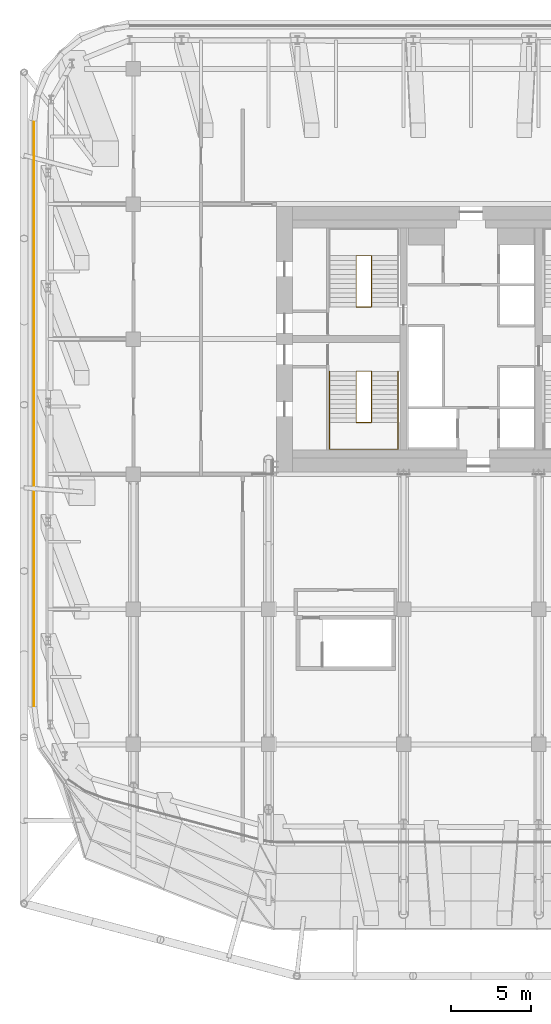
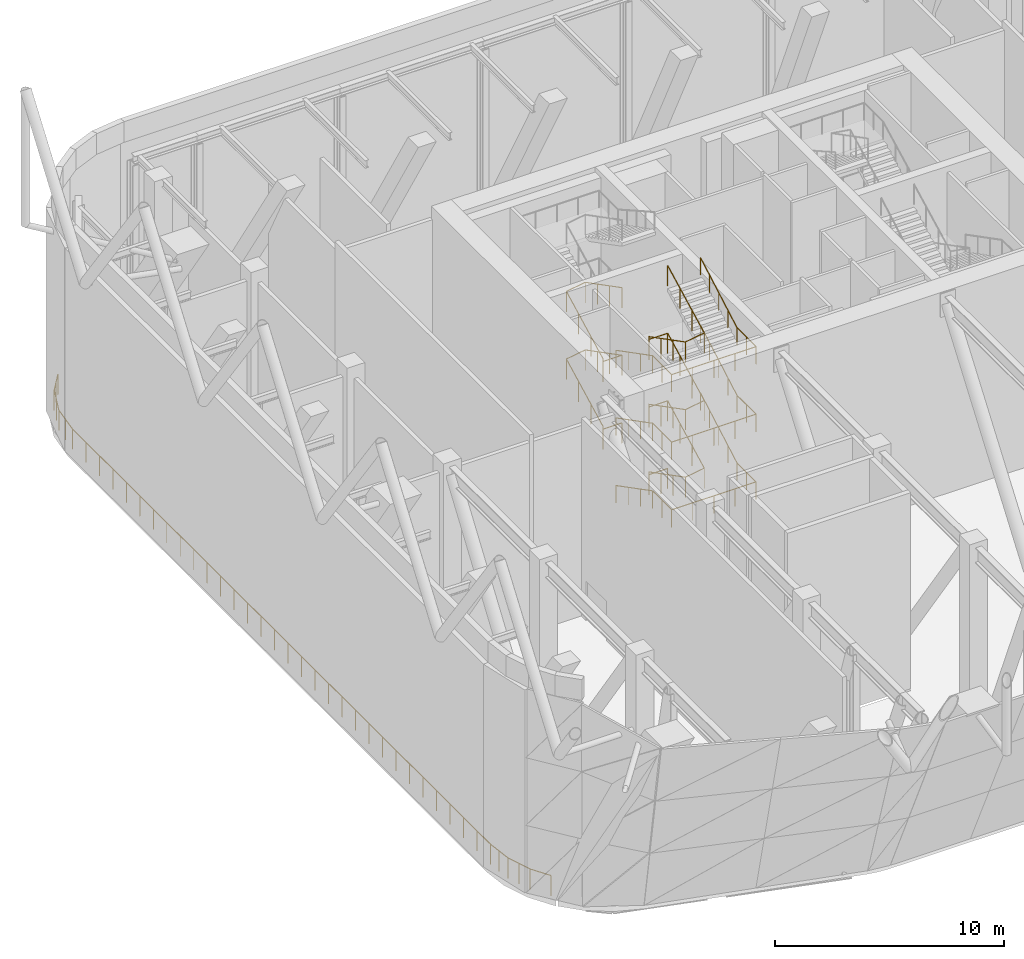
# One storey, part 17 of 20: 9 railings.
"""IFC4 building model written with IfcOpenShell, lengths in metres."""

from ifc_helpers import new_model, si_unit, direction, frame, origin, origin_2d, place, context, subcontext, project, spatial, circle, extrude, material, type_object, element, save


model = new_model("IFC4")

# Units and contexts
model_context = context("Model", 3, precision=1e-05, world=origin(), true_north=direction((0.0, 1.0)))
body_context = subcontext(model_context, "Body", "Model", "MODEL_VIEW")
ifc_project = project(units=[si_unit("LENGTHUNIT", "METRE"), si_unit("AREAUNIT", "SQUARE_METRE"), si_unit("VOLUMEUNIT", "CUBIC_METRE"), si_unit("PLANEANGLEUNIT", "RADIAN"), si_unit("MASSUNIT", "GRAM", prefix="KILO")], contexts=[model_context])

# Site, building, storey
site_placement = place(None, origin())
site = spatial("IfcSite", under=ifc_project, at=site_placement, CompositionType="ELEMENT")
building_placement = place(site_placement, origin())
building = spatial("IfcBuilding", under=site, at=building_placement, Name="Marenta Gate Hotel Tower", CompositionType="ELEMENT")
storey_placement = place(building_placement, frame((0.0, 0.0, 169.699951171875)))
storey = spatial("IfcBuildingStorey", under=building, at=storey_placement, Name="L40", CompositionType="ELEMENT", Elevation=169.699951171875)

# Railings
ifc_material_1 = material(Name="Stainless steel", Category="steel")
railing_type_1 = type_object("IfcRailingType", Name="Core stair handrail 950", PredefinedType="HANDRAIL", material=ifc_material_1)
railing_1_placement = place(storey_placement, frame((-8.800048828125, 6.39990234375, 0.150146484375)))
element("IfcRailing", 1, at=railing_1_placement, inside=storey, type_object=railing_type_1, Name="HR-950 L40-KR-ST1-1", PredefinedType="HANDRAIL", context=body_context, shape_type="SweptSolid", body=[
    extrude(circle(Radius=0.02392578125, at=origin_2d()), frame((0.0, 0.0, 0.92578125), z_axis=(0.0, -0.888225295554, 0.459408123936), x_axis=(1.0, 0.0, 0.0)), (0.0, 0.0, 1.0), 3.59130859375),
    extrude(circle(Radius=0.02392578125, at=origin_2d()), frame((0.0, -3.18994140625, 2.57568359375), z_axis=(0.0, -1.0, 0.0), x_axis=(1.0, 0.0, 0.0)), (0.0, 0.0, 1.0), 1.659912109375),
    extrude(circle(Radius=0.02392578125, at=origin_2d()), frame((0.0, -4.849853515625, 2.57568359375), z_axis=(1.0, 0.0, 0.0), x_axis=(0.0, 1.0, 0.0)), (0.0, 0.0, 1.0), 4.25),
    extrude(circle(Radius=0.02392578125, at=origin_2d()), frame((4.25, -4.849853515625, 2.57568359375), z_axis=(0.0, 1.0, 0.0), x_axis=(-1.0, 0.0, 0.0)), (0.0, 0.0, 1.0), 1.659912109375),
    extrude(circle(Radius=0.02392578125, at=origin_2d()), frame((4.25, -3.18994140625, 2.57568359375), z_axis=(0.0, 0.87090897868, 0.491444351738), x_axis=(-1.0, 0.0, 0.0)), (0.0, 0.0, 1.0), 3.662841796875),
    extrude(circle(Radius=0.02099609375, at=origin_2d()), origin(), (0.0, 0.0, 1.0), 0.90185546875),
    extrude(circle(Radius=0.02099609375, at=origin_2d()), frame((0.0, -1.063232421875, 0.550048828125)), (0.0, 0.0, 1.0), 0.90185546875),
    extrude(circle(Radius=0.02099609375, at=origin_2d()), frame((0.0, -2.126708984375, 1.099853515625)), (0.0, 0.0, 1.0), 0.90185546875),
    extrude(circle(Radius=0.02099609375, at=origin_2d()), frame((0.0, -3.18994140625, 1.64990234375)), (0.0, 0.0, 1.0), 0.90185546875),
    extrude(circle(Radius=0.02099609375, at=origin_2d()), frame((0.0, -4.02001953125, 1.64990234375)), (0.0, 0.0, 1.0), 0.90185546875),
    extrude(circle(Radius=0.02099609375, at=origin_2d()), frame((0.0, -4.849853515625, 1.64990234375)), (0.0, 0.0, 1.0), 0.90185546875),
    extrude(circle(Radius=0.02099609375, at=origin_2d()), frame((1.0625, -4.849853515625, 1.64990234375)), (0.0, 0.0, 1.0), 0.90185546875),
    extrude(circle(Radius=0.02099609375, at=origin_2d()), frame((2.125, -4.849853515625, 1.64990234375)), (0.0, 0.0, 1.0), 0.90185546875),
    extrude(circle(Radius=0.02099609375, at=origin_2d()), frame((3.1875, -4.849853515625, 1.64990234375)), (0.0, 0.0, 1.0), 0.90185546875),
    extrude(circle(Radius=0.02099609375, at=origin_2d()), frame((4.25, -4.849853515625, 1.64990234375)), (0.0, 0.0, 1.0), 0.90185546875),
    extrude(circle(Radius=0.02099609375, at=origin_2d()), frame((4.25, -4.02001953125, 1.64990234375)), (0.0, 0.0, 1.0), 0.90185546875),
    extrude(circle(Radius=0.02099609375, at=origin_2d()), frame((4.25, -3.18994140625, 1.64990234375)), (0.0, 0.0, 1.0), 0.90185546875),
    extrude(circle(Radius=0.02099609375, at=origin_2d()), frame((4.25, -2.392578125, 2.099853515625)), (0.0, 0.0, 1.0), 0.90185546875),
    extrude(circle(Radius=0.02099609375, at=origin_2d()), frame((4.25, -1.594970703125, 2.5498046875)), (0.0, 0.0, 1.0), 0.90185546875),
    extrude(circle(Radius=0.02099609375, at=origin_2d()), frame((4.25, -0.79736328125, 3.0)), (0.0, 0.0, 1.0), 0.90185546875),
    extrude(circle(Radius=0.02099609375, at=origin_2d()), frame((4.25, 0.0, 3.449951171875)), (0.0, 0.0, 1.0), 0.90185546875),
])
railing_2_placement = place(storey_placement, frame((-8.800048828125, 6.39990234375, 3.75)))
element("IfcRailing", 2, at=railing_2_placement, inside=storey, type_object=railing_type_1, Name="HR-950 L40-KR-ST1-3", PredefinedType="HANDRAIL", context=body_context, shape_type="SweptSolid", body=[
    extrude(circle(Radius=0.02392578125, at=origin_2d()), frame((0.0, 0.0, 0.92578125), z_axis=(0.0, -0.888197555067, 0.459461753765), x_axis=(1.0, 0.0, 0.0)), (0.0, 0.0, 1.0), 3.591552734375),
    extrude(circle(Radius=0.02392578125, at=origin_2d()), frame((0.0, -3.18994140625, 2.576171875), z_axis=(0.0, -1.0, 0.0), x_axis=(1.0, 0.0, 0.0)), (0.0, 0.0, 1.0), 1.659912109375),
    extrude(circle(Radius=0.02392578125, at=origin_2d()), frame((0.0, -4.849853515625, 2.576171875), z_axis=(1.0, 0.0, 0.0), x_axis=(0.0, 1.0, 0.0)), (0.0, 0.0, 1.0), 4.25),
    extrude(circle(Radius=0.02392578125, at=origin_2d()), frame((4.25, -4.849853515625, 2.576171875), z_axis=(0.0, 1.0, 0.0), x_axis=(-1.0, 0.0, 0.0)), (0.0, 0.0, 1.0), 1.659912109375),
    extrude(circle(Radius=0.02392578125, at=origin_2d()), frame((4.25, -3.18994140625, 2.576171875), z_axis=(0.0, 0.870937506535, 0.491393792911), x_axis=(-1.0, 0.0, 0.0)), (0.0, 0.0, 1.0), 3.66259765625),
    extrude(circle(Radius=0.02099609375, at=origin_2d()), origin(), (0.0, 0.0, 1.0), 0.90185546875),
    extrude(circle(Radius=0.02099609375, at=origin_2d()), frame((0.0, -1.063232421875, 0.550048828125)), (0.0, 0.0, 1.0), 0.90185546875),
    extrude(circle(Radius=0.02099609375, at=origin_2d()), frame((0.0, -2.126708984375, 1.10009765625)), (0.0, 0.0, 1.0), 0.90185546875),
    extrude(circle(Radius=0.02099609375, at=origin_2d()), frame((0.0, -3.18994140625, 1.650146484375)), (0.0, 0.0, 1.0), 0.90185546875),
    extrude(circle(Radius=0.02099609375, at=origin_2d()), frame((0.0, -4.02001953125, 1.650146484375)), (0.0, 0.0, 1.0), 0.90185546875),
    extrude(circle(Radius=0.02099609375, at=origin_2d()), frame((0.0, -4.849853515625, 1.650146484375)), (0.0, 0.0, 1.0), 0.90185546875),
    extrude(circle(Radius=0.02099609375, at=origin_2d()), frame((1.0625, -4.849853515625, 1.650146484375)), (0.0, 0.0, 1.0), 0.90185546875),
    extrude(circle(Radius=0.02099609375, at=origin_2d()), frame((2.125, -4.849853515625, 1.650146484375)), (0.0, 0.0, 1.0), 0.90185546875),
    extrude(circle(Radius=0.02099609375, at=origin_2d()), frame((3.1875, -4.849853515625, 1.650146484375)), (0.0, 0.0, 1.0), 0.90185546875),
    extrude(circle(Radius=0.02099609375, at=origin_2d()), frame((4.25, -4.849853515625, 1.650146484375)), (0.0, 0.0, 1.0), 0.90185546875),
    extrude(circle(Radius=0.02099609375, at=origin_2d()), frame((4.25, -4.02001953125, 1.650146484375)), (0.0, 0.0, 1.0), 0.90185546875),
    extrude(circle(Radius=0.02099609375, at=origin_2d()), frame((4.25, -3.18994140625, 1.650146484375)), (0.0, 0.0, 1.0), 0.90185546875),
    extrude(circle(Radius=0.02099609375, at=origin_2d()), frame((4.25, -2.392578125, 2.10009765625)), (0.0, 0.0, 1.0), 0.90185546875),
    extrude(circle(Radius=0.02099609375, at=origin_2d()), frame((4.25, -1.594970703125, 2.550048828125)), (0.0, 0.0, 1.0), 0.90185546875),
    extrude(circle(Radius=0.02099609375, at=origin_2d()), frame((4.25, -0.79736328125, 3.0)), (0.0, 0.0, 1.0), 0.90185546875),
    extrude(circle(Radius=0.02099609375, at=origin_2d()), frame((4.25, 0.0, 3.449951171875)), (0.0, 0.0, 1.0), 0.90185546875),
])
railing_3_placement = place(storey_placement, frame((-8.800048828125, 6.39990234375, 7.35009765625)))
element("IfcRailing", 3, at=railing_3_placement, inside=storey, type_object=railing_type_1, Name="HR-950 L40-KR-ST1-5", PredefinedType="HANDRAIL", context=body_context, shape_type="SweptSolid", body=[
    extrude(circle(Radius=0.02392578125, at=origin_2d()), frame((0.0, 0.0, 0.92578125), z_axis=(0.0, -0.888225295554, 0.459408123936), x_axis=(1.0, 0.0, 0.0)), (0.0, 0.0, 1.0), 3.59130859375),
    extrude(circle(Radius=0.02392578125, at=origin_2d()), frame((0.0, -3.18994140625, 2.57568359375), z_axis=(0.0, -1.0, 0.0), x_axis=(1.0, 0.0, 0.0)), (0.0, 0.0, 1.0), 1.659912109375),
    extrude(circle(Radius=0.02392578125, at=origin_2d()), frame((0.0, -4.849853515625, 2.57568359375), z_axis=(1.0, 0.0, 0.0), x_axis=(0.0, 1.0, 0.0)), (0.0, 0.0, 1.0), 4.25),
    extrude(circle(Radius=0.02392578125, at=origin_2d()), frame((4.25, -4.849853515625, 2.57568359375), z_axis=(0.0, 1.0, 0.0), x_axis=(-1.0, 0.0, 0.0)), (0.0, 0.0, 1.0), 1.659912109375),
    extrude(circle(Radius=0.02392578125, at=origin_2d()), frame((4.25, -3.18994140625, 2.57568359375), z_axis=(0.0, 0.87090897868, 0.491444351738), x_axis=(-1.0, 0.0, 0.0)), (0.0, 0.0, 1.0), 3.662841796875),
    extrude(circle(Radius=0.02099609375, at=origin_2d()), origin(), (0.0, 0.0, 1.0), 0.90185546875),
    extrude(circle(Radius=0.02099609375, at=origin_2d()), frame((0.0, -1.063232421875, 0.550048828125)), (0.0, 0.0, 1.0), 0.90185546875),
    extrude(circle(Radius=0.02099609375, at=origin_2d()), frame((0.0, -2.126708984375, 1.099853515625)), (0.0, 0.0, 1.0), 0.90185546875),
    extrude(circle(Radius=0.02099609375, at=origin_2d()), frame((0.0, -3.18994140625, 1.64990234375)), (0.0, 0.0, 1.0), 0.90185546875),
    extrude(circle(Radius=0.02099609375, at=origin_2d()), frame((0.0, -4.02001953125, 1.64990234375)), (0.0, 0.0, 1.0), 0.90185546875),
    extrude(circle(Radius=0.02099609375, at=origin_2d()), frame((0.0, -4.849853515625, 1.64990234375)), (0.0, 0.0, 1.0), 0.90185546875),
    extrude(circle(Radius=0.02099609375, at=origin_2d()), frame((1.0625, -4.849853515625, 1.64990234375)), (0.0, 0.0, 1.0), 0.90185546875),
    extrude(circle(Radius=0.02099609375, at=origin_2d()), frame((2.125, -4.849853515625, 1.64990234375)), (0.0, 0.0, 1.0), 0.90185546875),
    extrude(circle(Radius=0.02099609375, at=origin_2d()), frame((3.1875, -4.849853515625, 1.64990234375)), (0.0, 0.0, 1.0), 0.90185546875),
    extrude(circle(Radius=0.02099609375, at=origin_2d()), frame((4.25, -4.849853515625, 1.64990234375)), (0.0, 0.0, 1.0), 0.90185546875),
    extrude(circle(Radius=0.02099609375, at=origin_2d()), frame((4.25, -4.02001953125, 1.64990234375)), (0.0, 0.0, 1.0), 0.90185546875),
    extrude(circle(Radius=0.02099609375, at=origin_2d()), frame((4.25, -3.18994140625, 1.64990234375)), (0.0, 0.0, 1.0), 0.90185546875),
    extrude(circle(Radius=0.02099609375, at=origin_2d()), frame((4.25, -2.392578125, 2.099853515625)), (0.0, 0.0, 1.0), 0.90185546875),
    extrude(circle(Radius=0.02099609375, at=origin_2d()), frame((4.25, -1.594970703125, 2.5498046875)), (0.0, 0.0, 1.0), 0.90185546875),
    extrude(circle(Radius=0.02099609375, at=origin_2d()), frame((4.25, -0.79736328125, 3.0)), (0.0, 0.0, 1.0), 0.90185546875),
    extrude(circle(Radius=0.02099609375, at=origin_2d()), frame((4.25, 0.0, 3.449951171875)), (0.0, 0.0, 1.0), 0.90185546875),
])
ifc_material_2 = material(Name="Stainless steel", Category="steel")
railing_type_2 = type_object("IfcRailingType", Name="Core stair well guard 1100", PredefinedType="GUARDRAIL", material=ifc_material_2)
railing_4_placement = place(storey_placement, frame((-6.199951171875, 6.39990234375, 0.0)))
element("IfcRailing", 4, at=railing_4_placement, inside=storey, type_object=railing_type_2, Name="GR-1100 L40-KR-ST1-2", PredefinedType="GUARDRAIL", context=body_context, shape_type="SweptSolid", body=[
    extrude(circle(Radius=0.02392578125, at=origin_2d()), frame((0.0, 0.0, 1.076171875), z_axis=(-1.0, 0.0, 0.0), x_axis=(0.0, -1.0, 0.0)), (0.0, 0.0, 1.0), 0.949951171875),
    extrude(circle(Radius=0.02392578125, at=origin_2d()), frame((-0.949951171875, 0.0, 1.076171875), z_axis=(0.0, 0.0, 1.0), x_axis=(1.0, 0.0, 0.0)), (0.0, 0.0, 1.0), 0.150146484375),
    extrude(circle(Radius=0.02392578125, at=origin_2d()), frame((-0.949951171875, 0.0, 1.22607421875), z_axis=(0.0, -0.888225295554, 0.459408123936), x_axis=(1.0, 0.0, 0.0)), (0.0, 0.0, 1.0), 3.59130859375),
    extrude(circle(Radius=0.02392578125, at=origin_2d()), frame((-0.949951171875, -3.18994140625, 2.8759765625), z_axis=(0.987777369502, 0.0, 0.15587131968), x_axis=(0.0, 1.0, 0.0)), (0.0, 0.0, 1.0), 0.961669921875),
    extrude(circle(Radius=0.02392578125, at=origin_2d()), frame((0.0, -3.18994140625, 3.02587890625), z_axis=(0.0, 0.888197555067, 0.459461753765), x_axis=(-1.0, 0.0, 0.0)), (0.0, 0.0, 1.0), 3.591552734375),
    extrude(circle(Radius=0.02099609375, at=origin_2d()), origin(), (0.0, 0.0, 1.0), 1.052001953125),
    extrude(circle(Radius=0.02099609375, at=origin_2d()), frame((-0.949951171875, 0.0, 0.0)), (0.0, 0.0, 1.0), 1.052001953125),
    extrude(circle(Radius=0.02099609375, at=origin_2d()), frame((-0.949951171875, 0.0, 0.150146484375)), (0.0, 0.0, 1.0), 1.052001953125),
    extrude(circle(Radius=0.02099609375, at=origin_2d()), frame((-0.949951171875, -1.063232421875, 0.7001953125)), (0.0, 0.0, 1.0), 1.052001953125),
    extrude(circle(Radius=0.02099609375, at=origin_2d()), frame((-0.949951171875, -2.126708984375, 1.25)), (0.0, 0.0, 1.0), 1.052001953125),
    extrude(circle(Radius=0.02099609375, at=origin_2d()), frame((-0.949951171875, -3.18994140625, 1.800048828125)), (0.0, 0.0, 1.0), 1.052001953125),
    extrude(circle(Radius=0.02099609375, at=origin_2d()), frame((0.0, -3.18994140625, 1.949951171875)), (0.0, 0.0, 1.0), 1.052001953125),
    extrude(circle(Radius=0.02099609375, at=origin_2d()), frame((0.0, -2.126708984375, 2.5)), (0.0, 0.0, 1.0), 1.052001953125),
    extrude(circle(Radius=0.02099609375, at=origin_2d()), frame((0.0, -1.063232421875, 3.050048828125)), (0.0, 0.0, 1.0), 1.052001953125),
    extrude(circle(Radius=0.02099609375, at=origin_2d()), frame((0.0, 0.0, 3.60009765625)), (0.0, 0.0, 1.0), 1.052001953125),
])
railing_5_placement = place(storey_placement, frame((-6.199951171875, 6.39990234375, 3.60009765625)))
element("IfcRailing", 5, at=railing_5_placement, inside=storey, type_object=railing_type_2, Name="GR-1100 L40-KR-ST1-4", PredefinedType="GUARDRAIL", context=body_context, shape_type="SweptSolid", body=[
    extrude(circle(Radius=0.02392578125, at=origin_2d()), frame((0.0, 0.0, 1.076171875), z_axis=(-1.0, 0.0, 0.0), x_axis=(0.0, -1.0, 0.0)), (0.0, 0.0, 1.0), 0.949951171875),
    extrude(circle(Radius=0.02392578125, at=origin_2d()), frame((-0.949951171875, 0.0, 1.076171875), z_axis=(0.0, 0.0, 1.0), x_axis=(1.0, 0.0, 0.0)), (0.0, 0.0, 1.0), 0.14990234375),
    extrude(circle(Radius=0.02392578125, at=origin_2d()), frame((-0.949951171875, 0.0, 1.22607421875), z_axis=(0.0, -0.888197555067, 0.459461753765), x_axis=(1.0, 0.0, 0.0)), (0.0, 0.0, 1.0), 3.591552734375),
    extrude(circle(Radius=0.02392578125, at=origin_2d()), frame((-0.949951171875, -3.18994140625, 2.8759765625), z_axis=(0.987777369502, 0.0, 0.15587131968), x_axis=(0.0, 1.0, 0.0)), (0.0, 0.0, 1.0), 0.961669921875),
    extrude(circle(Radius=0.02392578125, at=origin_2d()), frame((0.0, -3.18994140625, 3.02587890625), z_axis=(0.0, 0.888225295554, 0.459408123936), x_axis=(-1.0, 0.0, 0.0)), (0.0, 0.0, 1.0), 3.59130859375),
    extrude(circle(Radius=0.02099609375, at=origin_2d()), origin(), (0.0, 0.0, 1.0), 1.052001953125),
    extrude(circle(Radius=0.02099609375, at=origin_2d()), frame((-0.949951171875, 0.0, 0.0)), (0.0, 0.0, 1.0), 1.052001953125),
    extrude(circle(Radius=0.02099609375, at=origin_2d()), frame((-0.949951171875, 0.0, 0.14990234375)), (0.0, 0.0, 1.0), 1.052001953125),
    extrude(circle(Radius=0.02099609375, at=origin_2d()), frame((-0.949951171875, -1.063232421875, 0.699951171875)), (0.0, 0.0, 1.0), 1.052001953125),
    extrude(circle(Radius=0.02099609375, at=origin_2d()), frame((-0.949951171875, -2.126708984375, 1.25)), (0.0, 0.0, 1.0), 1.052001953125),
    extrude(circle(Radius=0.02099609375, at=origin_2d()), frame((-0.949951171875, -3.18994140625, 1.800048828125)), (0.0, 0.0, 1.0), 1.052001953125),
    extrude(circle(Radius=0.02099609375, at=origin_2d()), frame((0.0, -3.18994140625, 1.949951171875)), (0.0, 0.0, 1.0), 1.052001953125),
    extrude(circle(Radius=0.02099609375, at=origin_2d()), frame((0.0, -2.126708984375, 2.5)), (0.0, 0.0, 1.0), 1.052001953125),
    extrude(circle(Radius=0.02099609375, at=origin_2d()), frame((0.0, -1.063232421875, 3.0498046875)), (0.0, 0.0, 1.0), 1.052001953125),
    extrude(circle(Radius=0.02099609375, at=origin_2d()), frame((0.0, 0.0, 3.599853515625)), (0.0, 0.0, 1.0), 1.052001953125),
])
railing_6_placement = place(storey_placement, frame((-6.199951171875, 6.39990234375, 7.199951171875)))
element("IfcRailing", 6, at=railing_6_placement, inside=storey, type_object=railing_type_2, Name="GR-1100 L40-KR-ST1-6", PredefinedType="GUARDRAIL", context=body_context, shape_type="SweptSolid", body=[
    extrude(circle(Radius=0.02392578125, at=origin_2d()), frame((0.0, 0.0, 1.076171875), z_axis=(-1.0, 0.0, 0.0), x_axis=(0.0, -1.0, 0.0)), (0.0, 0.0, 1.0), 0.949951171875),
    extrude(circle(Radius=0.02392578125, at=origin_2d()), frame((-0.949951171875, 0.0, 1.076171875), z_axis=(0.0, 0.0, 1.0), x_axis=(1.0, 0.0, 0.0)), (0.0, 0.0, 1.0), 0.150146484375),
    extrude(circle(Radius=0.02392578125, at=origin_2d()), frame((-0.949951171875, 0.0, 1.22607421875), z_axis=(0.0, -0.888225295554, 0.459408123936), x_axis=(1.0, 0.0, 0.0)), (0.0, 0.0, 1.0), 3.59130859375),
    extrude(circle(Radius=0.02392578125, at=origin_2d()), frame((-0.949951171875, -3.18994140625, 2.8759765625), z_axis=(0.987738253826, 0.0, 0.156118999255), x_axis=(0.0, 1.0, 0.0)), (0.0, 0.0, 1.0), 0.961669921875),
    extrude(circle(Radius=0.02392578125, at=origin_2d()), frame((0.0, -3.18994140625, 3.0263671875), z_axis=(0.0, 0.888225295554, 0.459408123936), x_axis=(-1.0, 0.0, 0.0)), (0.0, 0.0, 1.0), 3.59130859375),
    extrude(circle(Radius=0.02099609375, at=origin_2d()), origin(), (0.0, 0.0, 1.0), 1.052001953125),
    extrude(circle(Radius=0.02099609375, at=origin_2d()), frame((-0.949951171875, 0.0, 0.0)), (0.0, 0.0, 1.0), 1.052001953125),
    extrude(circle(Radius=0.02099609375, at=origin_2d()), frame((-0.949951171875, 0.0, 0.150146484375)), (0.0, 0.0, 1.0), 1.052001953125),
    extrude(circle(Radius=0.02099609375, at=origin_2d()), frame((-0.949951171875, -1.063232421875, 0.7001953125)), (0.0, 0.0, 1.0), 1.052001953125),
    extrude(circle(Radius=0.02099609375, at=origin_2d()), frame((-0.949951171875, -2.126708984375, 1.25)), (0.0, 0.0, 1.0), 1.052001953125),
    extrude(circle(Radius=0.02099609375, at=origin_2d()), frame((-0.949951171875, -3.18994140625, 1.800048828125)), (0.0, 0.0, 1.0), 1.052001953125),
    extrude(circle(Radius=0.02099609375, at=origin_2d()), frame((0.0, -3.18994140625, 1.9501953125)), (0.0, 0.0, 1.0), 1.052001953125),
    extrude(circle(Radius=0.02099609375, at=origin_2d()), frame((0.0, -2.126708984375, 2.500244140625)), (0.0, 0.0, 1.0), 1.052001953125),
    extrude(circle(Radius=0.02099609375, at=origin_2d()), frame((0.0, -1.063232421875, 3.050048828125)), (0.0, 0.0, 1.0), 1.052001953125),
    extrude(circle(Radius=0.02099609375, at=origin_2d()), frame((0.0, 0.0, 3.60009765625)), (0.0, 0.0, 1.0), 1.052001953125),
])
railing_7_placement = place(storey_placement, frame((-6.199951171875, 10.39990234375, 0.0)))
element("IfcRailing", 7, at=railing_7_placement, inside=storey, type_object=railing_type_2, Name="GR-1100 L40-KR-ST2-2", PredefinedType="GUARDRAIL", context=body_context, shape_type="SweptSolid", body=[
    extrude(circle(Radius=0.02392578125, at=origin_2d()), frame((0.0, 0.0, 1.076171875), z_axis=(-1.0, 0.0, 0.0), x_axis=(0.0, -1.0, 0.0)), (0.0, 0.0, 1.0), 0.949951171875),
    extrude(circle(Radius=0.02392578125, at=origin_2d()), frame((-0.949951171875, 0.0, 1.076171875), z_axis=(0.0, 0.0, 1.0), x_axis=(1.0, 0.0, 0.0)), (0.0, 0.0, 1.0), 0.150146484375),
    extrude(circle(Radius=0.02392578125, at=origin_2d()), frame((-0.949951171875, 0.0, 1.22607421875), z_axis=(0.0, 0.888239641807, 0.459380385653), x_axis=(-1.0, 0.0, 0.0)), (0.0, 0.0, 1.0), 3.591552734375),
    extrude(circle(Radius=0.02392578125, at=origin_2d()), frame((-0.949951171875, 3.190185546875, 2.8759765625), z_axis=(0.987777369502, 0.0, 0.15587131968), x_axis=(0.0, 1.0, 0.0)), (0.0, 0.0, 1.0), 0.961669921875),
    extrude(circle(Radius=0.02392578125, at=origin_2d()), frame((0.0, 3.190185546875, 3.02587890625), z_axis=(0.0, -0.888211904222, 0.459434013977), x_axis=(1.0, 0.0, 0.0)), (0.0, 0.0, 1.0), 3.591796875),
    extrude(circle(Radius=0.02099609375, at=origin_2d()), origin(), (0.0, 0.0, 1.0), 1.052001953125),
    extrude(circle(Radius=0.02099609375, at=origin_2d()), frame((-0.949951171875, 0.0, 0.0)), (0.0, 0.0, 1.0), 1.052001953125),
    extrude(circle(Radius=0.02099609375, at=origin_2d()), frame((-0.949951171875, 0.0, 0.150146484375)), (0.0, 0.0, 1.0), 1.052001953125),
    extrude(circle(Radius=0.02099609375, at=origin_2d()), frame((-0.949951171875, 1.0634765625, 0.7001953125)), (0.0, 0.0, 1.0), 1.052001953125),
    extrude(circle(Radius=0.02099609375, at=origin_2d()), frame((-0.949951171875, 2.126708984375, 1.25)), (0.0, 0.0, 1.0), 1.052001953125),
    extrude(circle(Radius=0.02099609375, at=origin_2d()), frame((-0.949951171875, 3.190185546875, 1.800048828125)), (0.0, 0.0, 1.0), 1.052001953125),
    extrude(circle(Radius=0.02099609375, at=origin_2d()), frame((0.0, 3.190185546875, 1.949951171875)), (0.0, 0.0, 1.0), 1.052001953125),
    extrude(circle(Radius=0.02099609375, at=origin_2d()), frame((0.0, 2.126708984375, 2.5)), (0.0, 0.0, 1.0), 1.052001953125),
    extrude(circle(Radius=0.02099609375, at=origin_2d()), frame((0.0, 1.0634765625, 3.050048828125)), (0.0, 0.0, 1.0), 1.052001953125),
    extrude(circle(Radius=0.02099609375, at=origin_2d()), frame((0.0, 0.0, 3.60009765625)), (0.0, 0.0, 1.0), 1.052001953125),
])
railing_8_placement = place(storey_placement, frame((-6.199951171875, 10.39990234375, 3.60009765625)))
element("IfcRailing", 8, at=railing_8_placement, inside=storey, type_object=railing_type_2, Name="GR-1100 L40-KR-ST2-4", PredefinedType="GUARDRAIL", context=body_context, shape_type="SweptSolid", body=[
    extrude(circle(Radius=0.02392578125, at=origin_2d()), frame((0.0, 0.0, 1.076171875), z_axis=(-1.0, 0.0, 0.0), x_axis=(0.0, -1.0, 0.0)), (0.0, 0.0, 1.0), 0.949951171875),
    extrude(circle(Radius=0.02392578125, at=origin_2d()), frame((-0.949951171875, 0.0, 1.076171875), z_axis=(0.0, 0.0, 1.0), x_axis=(1.0, 0.0, 0.0)), (0.0, 0.0, 1.0), 0.14990234375),
    extrude(circle(Radius=0.02392578125, at=origin_2d()), frame((-0.949951171875, 0.0, 1.22607421875), z_axis=(0.0, 0.888211904222, 0.459434013977), x_axis=(-1.0, 0.0, 0.0)), (0.0, 0.0, 1.0), 3.591796875),
    extrude(circle(Radius=0.02392578125, at=origin_2d()), frame((-0.949951171875, 3.190185546875, 2.8759765625), z_axis=(0.987777369502, 0.0, 0.15587131968), x_axis=(0.0, 1.0, 0.0)), (0.0, 0.0, 1.0), 0.961669921875),
    extrude(circle(Radius=0.02392578125, at=origin_2d()), frame((0.0, 3.190185546875, 3.02587890625), z_axis=(0.0, -0.888239641807, 0.459380385653), x_axis=(1.0, 0.0, 0.0)), (0.0, 0.0, 1.0), 3.591552734375),
    extrude(circle(Radius=0.02099609375, at=origin_2d()), origin(), (0.0, 0.0, 1.0), 1.052001953125),
    extrude(circle(Radius=0.02099609375, at=origin_2d()), frame((-0.949951171875, 0.0, 0.0)), (0.0, 0.0, 1.0), 1.052001953125),
    extrude(circle(Radius=0.02099609375, at=origin_2d()), frame((-0.949951171875, 0.0, 0.14990234375)), (0.0, 0.0, 1.0), 1.052001953125),
    extrude(circle(Radius=0.02099609375, at=origin_2d()), frame((-0.949951171875, 1.0634765625, 0.699951171875)), (0.0, 0.0, 1.0), 1.052001953125),
    extrude(circle(Radius=0.02099609375, at=origin_2d()), frame((-0.949951171875, 2.126708984375, 1.25)), (0.0, 0.0, 1.0), 1.052001953125),
    extrude(circle(Radius=0.02099609375, at=origin_2d()), frame((-0.949951171875, 3.190185546875, 1.800048828125)), (0.0, 0.0, 1.0), 1.052001953125),
    extrude(circle(Radius=0.02099609375, at=origin_2d()), frame((0.0, 3.190185546875, 1.949951171875)), (0.0, 0.0, 1.0), 1.052001953125),
    extrude(circle(Radius=0.02099609375, at=origin_2d()), frame((0.0, 2.126708984375, 2.5)), (0.0, 0.0, 1.0), 1.052001953125),
    extrude(circle(Radius=0.02099609375, at=origin_2d()), frame((0.0, 1.0634765625, 3.0498046875)), (0.0, 0.0, 1.0), 1.052001953125),
    extrude(circle(Radius=0.02099609375, at=origin_2d()), frame((0.0, 0.0, 3.599853515625)), (0.0, 0.0, 1.0), 1.052001953125),
])
ifc_material_3 = material(Name="Stainless steel", Category="steel")
railing_type_3 = type_object("IfcRailingType", Name="Guard 1100 stainless balustrade", PredefinedType="GUARDRAIL", material=ifc_material_3)
railing_9_placement = place(storey_placement, frame((-26.0830078125, -17.86669921875, 0.0)))
element("IfcRailing", 9, at=railing_9_placement, inside=storey, type_object=railing_type_3, Name="Guard", PredefinedType="GUARDRAIL", context=body_context, shape_type="SweptSolid", body=[
    extrude(circle(Radius=0.02392578125, at=origin_2d()), frame((0.0, 0.0, 1.076171875), z_axis=(-0.519739531713, 0.854324773827, 0.0), x_axis=(-0.854324773827, -0.519739531713, 0.0)), (0.0, 0.0, 1.0), 1.045654296875),
    extrude(circle(Radius=0.02392578125, at=origin_2d()), frame((-0.54345703125, 0.893310546875, 1.076171875), z_axis=(-0.321875433542, 0.946782026278, 0.0), x_axis=(-0.946782026278, -0.321875433542, 0.0)), (0.0, 0.0, 1.0), 1.28271484375),
    extrude(circle(Radius=0.02392578125, at=origin_2d()), frame((-0.956298828125, 2.107666015625, 1.076171875), z_axis=(-0.109100928002, 0.994030677348, 0.0), x_axis=(-0.994030677348, -0.109100928002, 0.0)), (0.0, 0.0, 1.0), 1.2890625),
    extrude(circle(Radius=0.02392578125, at=origin_2d()), frame((-1.096923828125, 3.388916015625, 1.076171875), z_axis=(0.0, 1.0, 0.0), x_axis=(-1.0, 0.0, 0.0)), (0.0, 0.0, 1.0), 36.469970703125),
    extrude(circle(Radius=0.02392578125, at=origin_2d()), frame((-1.096923828125, 39.85888671875, 1.076171875), z_axis=(0.130421757725, 0.99145860484, 0.0), x_axis=(-0.99145860484, 0.130421757725, 0.0)), (0.0, 0.0, 1.0), 1.54248046875),
    extrude(circle(Radius=0.02392578125, at=origin_2d()), frame((-0.895751953125, 41.38818359375, 1.076171875), z_axis=(0.382717053503, 0.923865605463, 0.0), x_axis=(-0.923865605463, 0.382717053503, 0.0)), (0.0, 0.0, 1.0), 1.534912109375),
    extrude(circle(Radius=0.02392578125, at=origin_2d()), frame((-0.308349609375, 42.80615234375, 1.076171875), z_axis=(0.608753749501, 0.793359232926, 0.0), x_axis=(-0.793359232926, 0.608753749501, 0.0)), (0.0, 0.0, 1.0), 1.208740234375),
    extrude(circle(Radius=0.02099609375, at=origin_2d()), origin(), (0.0, 0.0, 1.0), 1.052001953125),
    extrude(circle(Radius=0.02099609375, at=origin_2d()), frame((-0.54345703125, 0.893310546875, 0.0)), (0.0, 0.0, 1.0), 1.052001953125),
    extrude(circle(Radius=0.02099609375, at=origin_2d()), frame((-0.75, 1.50048828125, 0.0)), (0.0, 0.0, 1.0), 1.052001953125),
    extrude(circle(Radius=0.02099609375, at=origin_2d()), frame((-0.956298828125, 2.107666015625, 0.0)), (0.0, 0.0, 1.0), 1.052001953125),
    extrude(circle(Radius=0.02099609375, at=origin_2d()), frame((-1.026611328125, 2.748291015625, 0.0)), (0.0, 0.0, 1.0), 1.052001953125),
    extrude(circle(Radius=0.02099609375, at=origin_2d()), frame((-1.096923828125, 3.388916015625, 0.0)), (0.0, 0.0, 1.0), 1.052001953125),
    extrude(circle(Radius=0.02099609375, at=origin_2d()), frame((-1.096923828125, 4.5654296875, 0.0)), (0.0, 0.0, 1.0), 1.052001953125),
    extrude(circle(Radius=0.02099609375, at=origin_2d()), frame((-1.096923828125, 5.74169921875, 0.0)), (0.0, 0.0, 1.0), 1.052001953125),
    extrude(circle(Radius=0.02099609375, at=origin_2d()), frame((-1.096923828125, 6.918212890625, 0.0)), (0.0, 0.0, 1.0), 1.052001953125),
    extrude(circle(Radius=0.02099609375, at=origin_2d()), frame((-1.096923828125, 8.0947265625, 0.0)), (0.0, 0.0, 1.0), 1.052001953125),
    extrude(circle(Radius=0.02099609375, at=origin_2d()), frame((-1.096923828125, 9.271240234375, 0.0)), (0.0, 0.0, 1.0), 1.052001953125),
    extrude(circle(Radius=0.02099609375, at=origin_2d()), frame((-1.096923828125, 10.447509765625, 0.0)), (0.0, 0.0, 1.0), 1.052001953125),
    extrude(circle(Radius=0.02099609375, at=origin_2d()), frame((-1.096923828125, 11.6240234375, 0.0)), (0.0, 0.0, 1.0), 1.052001953125),
    extrude(circle(Radius=0.02099609375, at=origin_2d()), frame((-1.096923828125, 12.800537109375, 0.0)), (0.0, 0.0, 1.0), 1.052001953125),
    extrude(circle(Radius=0.02099609375, at=origin_2d()), frame((-1.096923828125, 13.97705078125, 0.0)), (0.0, 0.0, 1.0), 1.052001953125),
    extrude(circle(Radius=0.02099609375, at=origin_2d()), frame((-1.096923828125, 15.1533203125, 0.0)), (0.0, 0.0, 1.0), 1.052001953125),
    extrude(circle(Radius=0.02099609375, at=origin_2d()), frame((-1.096923828125, 16.329833984375, 0.0)), (0.0, 0.0, 1.0), 1.052001953125),
    extrude(circle(Radius=0.02099609375, at=origin_2d()), frame((-1.096923828125, 17.50634765625, 0.0)), (0.0, 0.0, 1.0), 1.052001953125),
    extrude(circle(Radius=0.02099609375, at=origin_2d()), frame((-1.096923828125, 18.682861328125, 0.0)), (0.0, 0.0, 1.0), 1.052001953125),
    extrude(circle(Radius=0.02099609375, at=origin_2d()), frame((-1.096923828125, 19.859130859375, 0.0)), (0.0, 0.0, 1.0), 1.052001953125),
    extrude(circle(Radius=0.02099609375, at=origin_2d()), frame((-1.096923828125, 21.03564453125, 0.0)), (0.0, 0.0, 1.0), 1.052001953125),
    extrude(circle(Radius=0.02099609375, at=origin_2d()), frame((-1.096923828125, 22.212158203125, 0.0)), (0.0, 0.0, 1.0), 1.052001953125),
    extrude(circle(Radius=0.02099609375, at=origin_2d()), frame((-1.096923828125, 23.388671875, 0.0)), (0.0, 0.0, 1.0), 1.052001953125),
    extrude(circle(Radius=0.02099609375, at=origin_2d()), frame((-1.096923828125, 24.56494140625, 0.0)), (0.0, 0.0, 1.0), 1.052001953125),
    extrude(circle(Radius=0.02099609375, at=origin_2d()), frame((-1.096923828125, 25.741455078125, 0.0)), (0.0, 0.0, 1.0), 1.052001953125),
    extrude(circle(Radius=0.02099609375, at=origin_2d()), frame((-1.096923828125, 26.91796875, 0.0)), (0.0, 0.0, 1.0), 1.052001953125),
    extrude(circle(Radius=0.02099609375, at=origin_2d()), frame((-1.096923828125, 28.094482421875, 0.0)), (0.0, 0.0, 1.0), 1.052001953125),
    extrude(circle(Radius=0.02099609375, at=origin_2d()), frame((-1.096923828125, 29.270751953125, 0.0)), (0.0, 0.0, 1.0), 1.052001953125),
    extrude(circle(Radius=0.02099609375, at=origin_2d()), frame((-1.096923828125, 30.447265625, 0.0)), (0.0, 0.0, 1.0), 1.052001953125),
    extrude(circle(Radius=0.02099609375, at=origin_2d()), frame((-1.096923828125, 31.623779296875, 0.0)), (0.0, 0.0, 1.0), 1.052001953125),
    extrude(circle(Radius=0.02099609375, at=origin_2d()), frame((-1.096923828125, 32.80029296875, 0.0)), (0.0, 0.0, 1.0), 1.052001953125),
    extrude(circle(Radius=0.02099609375, at=origin_2d()), frame((-1.096923828125, 33.9765625, 0.0)), (0.0, 0.0, 1.0), 1.052001953125),
    extrude(circle(Radius=0.02099609375, at=origin_2d()), frame((-1.096923828125, 35.153076171875, 0.0)), (0.0, 0.0, 1.0), 1.052001953125),
    extrude(circle(Radius=0.02099609375, at=origin_2d()), frame((-1.096923828125, 36.32958984375, 0.0)), (0.0, 0.0, 1.0), 1.052001953125),
    extrude(circle(Radius=0.02099609375, at=origin_2d()), frame((-1.096923828125, 37.506103515625, 0.0)), (0.0, 0.0, 1.0), 1.052001953125),
    extrude(circle(Radius=0.02099609375, at=origin_2d()), frame((-1.096923828125, 38.682373046875, 0.0)), (0.0, 0.0, 1.0), 1.052001953125),
    extrude(circle(Radius=0.02099609375, at=origin_2d()), frame((-1.096923828125, 39.85888671875, 0.0)), (0.0, 0.0, 1.0), 1.052001953125),
    extrude(circle(Radius=0.02099609375, at=origin_2d()), frame((-0.996337890625, 40.62353515625, 0.0)), (0.0, 0.0, 1.0), 1.052001953125),
    extrude(circle(Radius=0.02099609375, at=origin_2d()), frame((-0.895751953125, 41.38818359375, 0.0)), (0.0, 0.0, 1.0), 1.052001953125),
    extrude(circle(Radius=0.02099609375, at=origin_2d()), frame((-0.60205078125, 42.09716796875, 0.0)), (0.0, 0.0, 1.0), 1.052001953125),
    extrude(circle(Radius=0.02099609375, at=origin_2d()), frame((-0.308349609375, 42.80615234375, 0.0)), (0.0, 0.0, 1.0), 1.052001953125),
    extrude(circle(Radius=0.02099609375, at=origin_2d()), frame((0.0595703125, 43.28564453125, 0.0)), (0.0, 0.0, 1.0), 1.052001953125),
    extrude(circle(Radius=0.02099609375, at=origin_2d()), frame((0.427490234375, 43.76513671875, 0.0)), (0.0, 0.0, 1.0), 1.052001953125),
])

save(model, "model.ifc")
